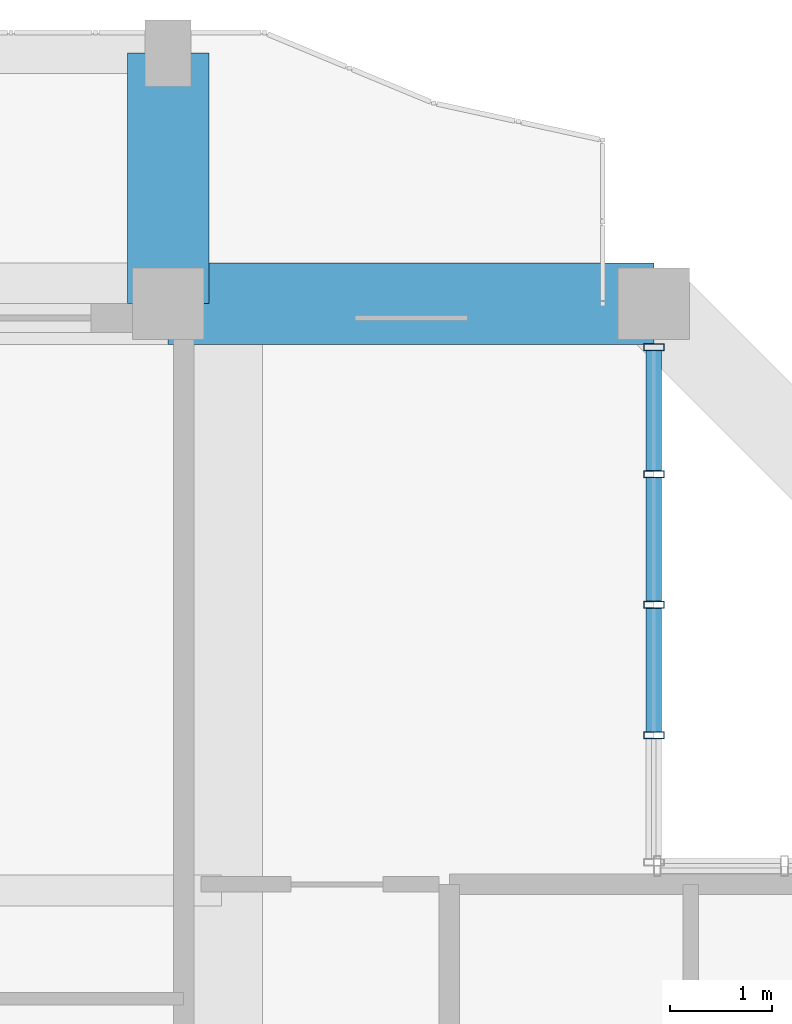
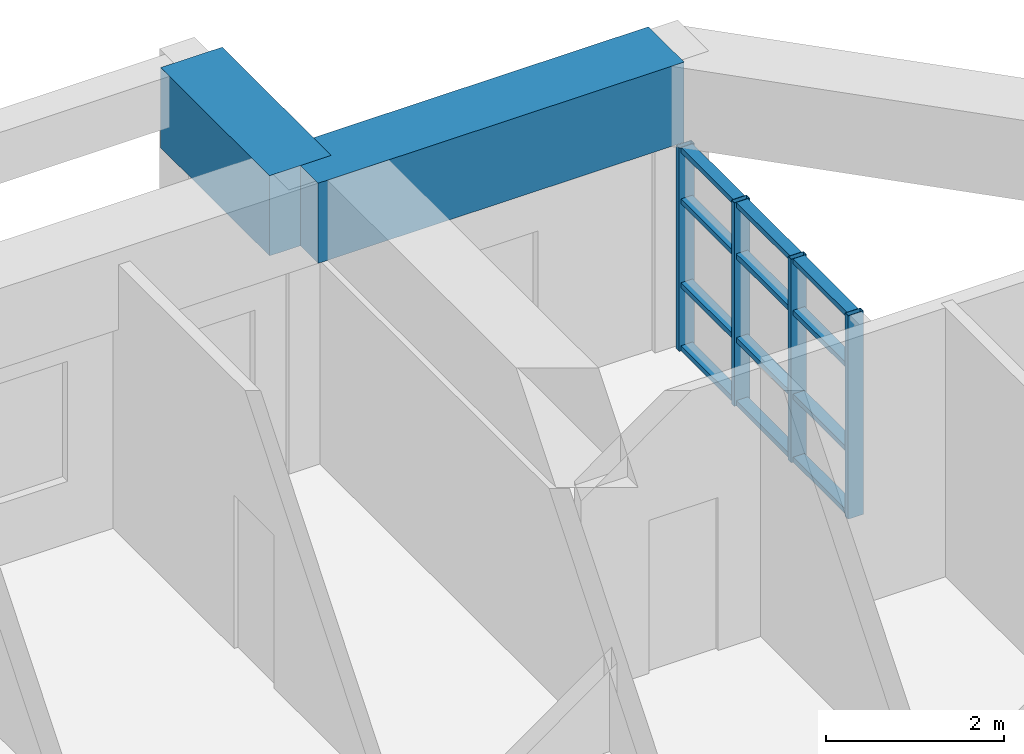
# One storey, part 12 of 27: 16 members, 2 beams, 1 element without a shape of its own.
"""IFC4 building model written with IfcOpenShell, lengths in metres."""

from ifc_helpers import new_model, si_unit, direction, frame, origin, origin_2d, place, context, subcontext, project, spatial, rectangle, hollow_rectangle, extrude, source, transform, mapped, material, layer, layer_set, material_profile, profile_set, type_object, element, aggregate, save


model = new_model("IFC4")

# Units and contexts
model_context = context("Model", 3, precision=1e-05, world=origin(), true_north=direction((0.0, 1.0)))
body_context = subcontext(model_context, "Body", "Model", "MODEL_VIEW")
ifc_project = project(units=[si_unit("LENGTHUNIT", "METRE"), si_unit("AREAUNIT", "SQUARE_METRE"), si_unit("VOLUMEUNIT", "CUBIC_METRE"), si_unit("PLANEANGLEUNIT", "RADIAN"), si_unit("MASSUNIT", "GRAM", prefix="KILO")], contexts=[model_context])

# Site, building, storey
site_placement = place(None, origin())
site = spatial("IfcSite", under=ifc_project, at=site_placement, CompositionType="ELEMENT")
building_placement = place(site_placement, origin())
building = spatial("IfcBuilding", under=site, at=building_placement, Name="Saelheon Loggia Tower", CompositionType="ELEMENT")
storey_placement = place(building_placement, frame((0.0, 0.0, 226.199951171875)))
storey = spatial("IfcBuildingStorey", under=building, at=storey_placement, Name="L70", CompositionType="ELEMENT", Elevation=226.199951171875)

# Beams
ifc_material_1 = material(Name="Concrete C50/60", Category="concrete")
ifc_material_profile_1 = material_profile(ifc_material_1, rectangle(XDim=0.800048828125, YDim=1.10009765625, at=origin_2d()), Name="RC-800x1100")
ifc_profile_set_1 = profile_set([ifc_material_profile_1], Name="Concrete C50/60")
beam_type = type_object("IfcBeamType", Name="Beam_PerimSetback_RC800x1100", PredefinedType="BEAM", material=ifc_profile_set_1)
shared_shape_1 = source(origin(), body_context, "Body", "SweptSolid", [
    extrude(rectangle(XDim=0.800048828125, YDim=1.10009765625, at=origin_2d()), origin(), (0.0, 0.0, 1.0), 2.449951171875),
])
beam_1_placement = place(storey_placement, frame((44.5, 48.0, 3.35009765625), z_axis=(0.0, 1.0, 0.0), x_axis=(-1.0, 0.0, 0.0)))
element("IfcBeam", 1, at=beam_1_placement, inside=storey, type_object=beam_type, Name="L70 Loggia Frame Tie Beam LP-N2", PredefinedType="BEAM", context=body_context, shape_type="MappedRepresentation", body=[
    mapped(shared_shape_1, transform((0.0, 0.0, 0.0), scale=1.0)),
])
shared_shape_2 = source(origin(), body_context, "Body", "SweptSolid", [
    extrude(rectangle(XDim=0.800048828125, YDim=1.10009765625, at=origin_2d()), origin(), (0.0, 0.0, 1.0), 4.75),
])
beam_2_placement = place(storey_placement, frame((49.25, 48.0, 3.35009765625), z_axis=(-1.0, 0.0, 0.0), x_axis=(0.0, -1.0, 0.0)))
element("IfcBeam", 2, at=beam_2_placement, inside=storey, type_object=beam_type, Name="L70 Perimeter Frame Girder 09", PredefinedType="BEAM", context=body_context, shape_type="MappedRepresentation", body=[
    mapped(shared_shape_2, transform((0.0, 0.0, 0.0), scale=1.0)),
])

# Curtain wall, members
ifc_material_2 = material(Name="High-Wind Aluminium and Triple Laminated Glass", Category="aluminium")
ifc_layer = layer(ifc_material_2, 0.179931640625)
ifc_layer_set = layer_set([ifc_layer], Name="High-Wind Aluminium and Triple Laminated Glass")
curtain_wall_type = type_object("IfcCurtainWallType", Name="CW_TowerLoggiaHigh", PredefinedType="NOTDEFINED", material=ifc_layer_set)
curtain_wall_placement = place(storey_placement, origin())
curtain_wall = element("IfcCurtainWall", 3, at=curtain_wall_placement, inside=storey, type_object=curtain_wall_type, Name="L70 Corner Notch Glazing NE1", PredefinedType="NOTDEFINED")
ifc_material_3 = material(Name="Anodised Aluminium 6063-T6", Category="aluminium")
ifc_material_profile_2 = material_profile(ifc_material_3, hollow_rectangle(XDim=0.070068359375, YDim=0.14990234375, WallThickness=0.0048828125, at=origin_2d()), Name="RHS-150x70x5")
ifc_profile_set_2 = profile_set([ifc_material_profile_2], Name="Anodised Aluminium 6063-T6")
member_type_1 = type_object("IfcMemberType", Name="CW_TowerLoggiaHigh_Transom", PredefinedType="USERDEFINED", material=ifc_profile_set_2)
shared_shape_3 = source(origin(), body_context, "Body", "SweptSolid", [
    extrude(hollow_rectangle(XDim=0.070068359375, YDim=0.14990234375, WallThickness=0.0048828125, at=origin_2d()), origin(), (0.0, 0.0, 1.0), 1.172607421875),
])
member_1_placement = place(storey_placement, frame((49.25, 46.367431640625, 0.03515625), z_axis=(0.0, 1.0, 0.0), x_axis=(0.0, 0.0, 1.0)))
member_1 = element("IfcMember", 4, at=member_1_placement, type_object=member_type_1, Name="CW4 transom 4.1", ObjectType="TRANSOM", PredefinedType="USERDEFINED", context=body_context, shape_type="MappedRepresentation", body=[
    mapped(shared_shape_3, transform((0.0, 0.0, 0.0), scale=1.0)),
])
member_2_placement = place(storey_placement, frame((49.25, 46.367431640625, 0.900146484375), z_axis=(0.0, 1.0, 0.0), x_axis=(0.0, 0.0, 1.0)))
member_2 = element("IfcMember", 5, at=member_2_placement, type_object=member_type_1, Name="CW4 transom 4.2", ObjectType="TRANSOM", PredefinedType="USERDEFINED", context=body_context, shape_type="MappedRepresentation", body=[
    mapped(shared_shape_3, transform((0.0, 0.0, 0.0), scale=1.0)),
])
member_3_placement = place(storey_placement, frame((49.25, 46.367431640625, 2.050048828125), z_axis=(0.0, 1.0, 0.0), x_axis=(0.0, 0.0, 1.0)))
member_3 = element("IfcMember", 6, at=member_3_placement, type_object=member_type_1, Name="CW4 transom 4.3", ObjectType="TRANSOM", PredefinedType="USERDEFINED", context=body_context, shape_type="MappedRepresentation", body=[
    mapped(shared_shape_3, transform((0.0, 0.0, 0.0), scale=1.0)),
])
member_4_placement = place(storey_placement, frame((49.25, 46.367431640625, 2.755126953125), z_axis=(0.0, 1.0, 0.0), x_axis=(0.0, 0.0, 1.0)))
member_4 = element("IfcMember", 7, at=member_4_placement, type_object=member_type_1, Name="CW4 transom 4.4", ObjectType="TRANSOM", PredefinedType="USERDEFINED", context=body_context, shape_type="MappedRepresentation", body=[
    mapped(shared_shape_3, transform((0.0, 0.0, 0.0), scale=1.0)),
])
shared_shape_4 = source(origin(), body_context, "Body", "SweptSolid", [
    extrude(hollow_rectangle(XDim=0.070068359375, YDim=0.14990234375, WallThickness=0.0048828125, at=origin_2d()), origin(), (0.0, 0.0, 1.0), 1.20751953125),
])
member_5_placement = place(storey_placement, frame((49.25, 43.8125, 0.03515625), z_axis=(0.0, 1.0, 0.0), x_axis=(0.0, 0.0, 1.0)))
member_5 = element("IfcMember", 8, at=member_5_placement, type_object=member_type_1, Name="CW4 transom 2.1", ObjectType="TRANSOM", PredefinedType="USERDEFINED", context=body_context, shape_type="MappedRepresentation", body=[
    mapped(shared_shape_4, transform((0.0, 0.0, 0.0), scale=1.0)),
])
member_6_placement = place(storey_placement, frame((49.25, 43.8125, 0.900146484375), z_axis=(0.0, 1.0, 0.0), x_axis=(0.0, 0.0, 1.0)))
member_6 = element("IfcMember", 9, at=member_6_placement, type_object=member_type_1, Name="CW4 transom 2.2", ObjectType="TRANSOM", PredefinedType="USERDEFINED", context=body_context, shape_type="MappedRepresentation", body=[
    mapped(shared_shape_4, transform((0.0, 0.0, 0.0), scale=1.0)),
])
member_7_placement = place(storey_placement, frame((49.25, 43.8125, 2.050048828125), z_axis=(0.0, 1.0, 0.0), x_axis=(0.0, 0.0, 1.0)))
member_7 = element("IfcMember", 10, at=member_7_placement, type_object=member_type_1, Name="CW4 transom 2.3", ObjectType="TRANSOM", PredefinedType="USERDEFINED", context=body_context, shape_type="MappedRepresentation", body=[
    mapped(shared_shape_4, transform((0.0, 0.0, 0.0), scale=1.0)),
])
member_8_placement = place(storey_placement, frame((49.25, 43.8125, 2.755126953125), z_axis=(0.0, 1.0, 0.0), x_axis=(0.0, 0.0, 1.0)))
member_8 = element("IfcMember", 11, at=member_8_placement, type_object=member_type_1, Name="CW4 transom 2.4", ObjectType="TRANSOM", PredefinedType="USERDEFINED", context=body_context, shape_type="MappedRepresentation", body=[
    mapped(shared_shape_4, transform((0.0, 0.0, 0.0), scale=1.0)),
])
member_9_placement = place(storey_placement, frame((49.25, 45.090087890625, 0.03515625), z_axis=(0.0, 1.0, 0.0), x_axis=(0.0, 0.0, 1.0)))
member_9 = element("IfcMember", 12, at=member_9_placement, type_object=member_type_1, Name="CW4 transom 3.1", ObjectType="TRANSOM", PredefinedType="USERDEFINED", context=body_context, shape_type="MappedRepresentation", body=[
    mapped(shared_shape_4, transform((0.0, 0.0, 0.0), scale=1.0)),
])
member_10_placement = place(storey_placement, frame((49.25, 45.090087890625, 0.900146484375), z_axis=(0.0, 1.0, 0.0), x_axis=(0.0, 0.0, 1.0)))
member_10 = element("IfcMember", 13, at=member_10_placement, type_object=member_type_1, Name="CW4 transom 3.2", ObjectType="TRANSOM", PredefinedType="USERDEFINED", context=body_context, shape_type="MappedRepresentation", body=[
    mapped(shared_shape_4, transform((0.0, 0.0, 0.0), scale=1.0)),
])
member_11_placement = place(storey_placement, frame((49.25, 45.090087890625, 2.050048828125), z_axis=(0.0, 1.0, 0.0), x_axis=(0.0, 0.0, 1.0)))
member_11 = element("IfcMember", 14, at=member_11_placement, type_object=member_type_1, Name="CW4 transom 3.3", ObjectType="TRANSOM", PredefinedType="USERDEFINED", context=body_context, shape_type="MappedRepresentation", body=[
    mapped(shared_shape_4, transform((0.0, 0.0, 0.0), scale=1.0)),
])
member_12_placement = place(storey_placement, frame((49.25, 45.090087890625, 2.755126953125), z_axis=(0.0, 1.0, 0.0), x_axis=(0.0, 0.0, 1.0)))
member_12 = element("IfcMember", 15, at=member_12_placement, type_object=member_type_1, Name="CW4 transom 3.4", ObjectType="TRANSOM", PredefinedType="USERDEFINED", context=body_context, shape_type="MappedRepresentation", body=[
    mapped(shared_shape_4, transform((0.0, 0.0, 0.0), scale=1.0)),
])
ifc_material_profile_3 = material_profile(ifc_material_3, hollow_rectangle(XDim=0.070068359375, YDim=0.199951171875, WallThickness=0.0048828125, at=origin_2d()), Name="RHS-200x70x5")
ifc_profile_set_3 = profile_set([ifc_material_profile_3], Name="Anodised Aluminium 6063-T6")
member_type_2 = type_object("IfcMemberType", Name="CW_TowerLoggiaHigh_Mullion", PredefinedType="MULLION", material=ifc_profile_set_3)
shared_shape_5 = source(origin(), body_context, "Body", "SweptSolid", [
    extrude(hollow_rectangle(XDim=0.070068359375, YDim=0.199951171875, WallThickness=0.0048828125, at=origin_2d()), origin(), (0.0, 0.0, 1.0), 2.7900390625),
])
member_13_placement = place(storey_placement, frame((49.25, 43.777587890625, 0.0), z_axis=(0.0, 0.0, 1.0), x_axis=(0.0, 1.0, 0.0)))
member_13 = element("IfcMember", 16, at=member_13_placement, type_object=member_type_2, Name="CW4 mullion 2", PredefinedType="MULLION", context=body_context, shape_type="MappedRepresentation", body=[
    mapped(shared_shape_5, transform((0.0, 0.0, 0.0), scale=1.0)),
])
member_14_placement = place(storey_placement, frame((49.25, 45.054931640625, 0.0), z_axis=(0.0, 0.0, 1.0), x_axis=(0.0, 1.0, 0.0)))
member_14 = element("IfcMember", 17, at=member_14_placement, type_object=member_type_2, Name="CW4 mullion 3", PredefinedType="MULLION", context=body_context, shape_type="MappedRepresentation", body=[
    mapped(shared_shape_5, transform((0.0, 0.0, 0.0), scale=1.0)),
])
member_15_placement = place(storey_placement, frame((49.25, 46.33251953125, 0.0), z_axis=(0.0, 0.0, 1.0), x_axis=(0.0, 1.0, 0.0)))
member_15 = element("IfcMember", 18, at=member_15_placement, type_object=member_type_2, Name="CW4 mullion 4", PredefinedType="MULLION", context=body_context, shape_type="MappedRepresentation", body=[
    mapped(shared_shape_5, transform((0.0, 0.0, 0.0), scale=1.0)),
])
member_16_placement = place(storey_placement, frame((49.25, 47.574951171875, 0.0), z_axis=(0.0, 0.0, 1.0), x_axis=(0.0, 1.0, 0.0)))
member_16 = element("IfcMember", 19, at=member_16_placement, type_object=member_type_2, Name="CW4 mullion 5", PredefinedType="MULLION", context=body_context, shape_type="MappedRepresentation", body=[
    mapped(shared_shape_5, transform((0.0, 0.0, 0.0), scale=1.0)),
])
aggregate(curtain_wall, [member_13, member_14, member_15, member_16, member_5, member_6, member_7, member_8, member_9, member_10, member_11, member_12, member_1, member_2, member_3, member_4])

save(model, "model.ifc")
